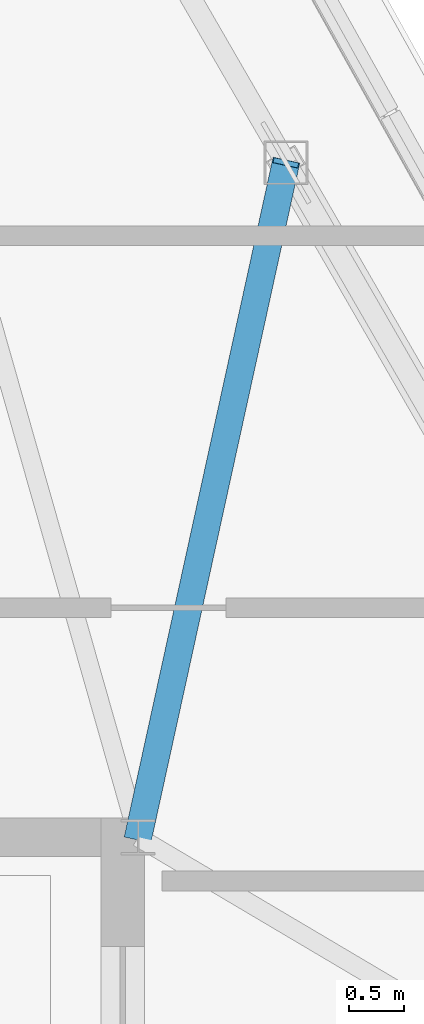
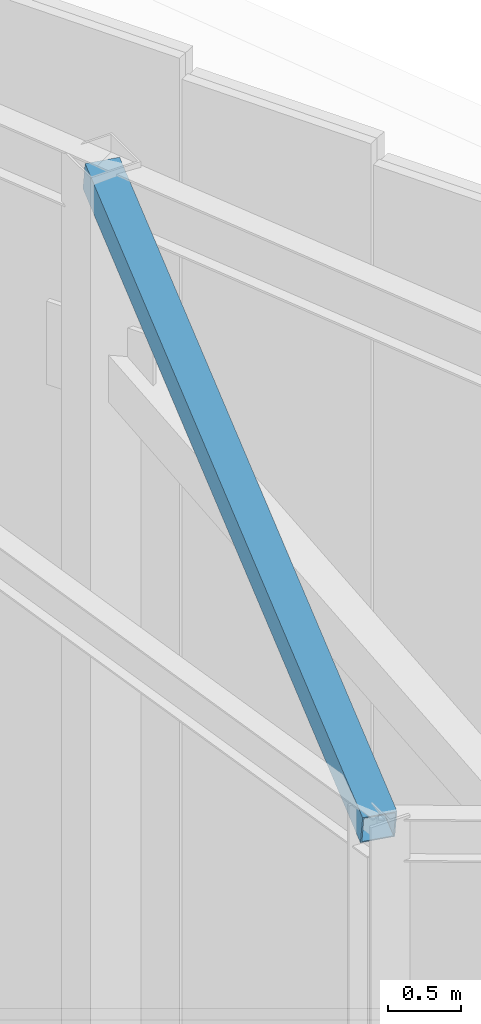
# One storey, part 33 of 50: 1 beam.
"""IFC4 building model written with IfcOpenShell, lengths in metres."""

from ifc_helpers import new_model, si_unit, direction, frame, origin, origin_2d, place, context, subcontext, project, spatial, hollow_rectangle, extrude, source, transform, mapped, material, material_profile, profile_set, type_object, type_shapes, element, save


model = new_model("IFC4")

# Units and contexts
model_context = context("Model", 3, precision=1e-05, world=origin(), true_north=direction((0.0, 1.0)))
body_context = subcontext(model_context, "Body", "Model", "MODEL_VIEW")
ifc_project = project(units=[si_unit("LENGTHUNIT", "METRE"), si_unit("AREAUNIT", "SQUARE_METRE"), si_unit("VOLUMEUNIT", "CUBIC_METRE"), si_unit("PLANEANGLEUNIT", "RADIAN"), si_unit("MASSUNIT", "GRAM", prefix="KILO")], contexts=[model_context])

# Site, building, storey
site_placement = place(None, origin())
site = spatial("IfcSite", under=ifc_project, at=site_placement, CompositionType="ELEMENT")
building_placement = place(site_placement, origin())
building = spatial("IfcBuilding", under=site, at=building_placement, Name="Caelisora Broadcast Tower", CompositionType="ELEMENT")
storey_placement = place(building_placement, frame((0.0, 0.0, 303.39990234375)))
storey = spatial("IfcBuildingStorey", under=building, at=storey_placement, Name="L80", CompositionType="ELEMENT", Elevation=303.39990234375)

# Beam
ifc_material = material(Name="Steel Grade 350 (AS/NZS 1163 C350L0)", Category="steel")
ifc_material_profile = material_profile(ifc_material, hollow_rectangle(XDim=0.25, YDim=0.25, WallThickness=0.010009765625, at=origin_2d()), Name="Steel Grade 350 (AS/NZS 1163 C350L0)")
ifc_profile_set = profile_set([ifc_material_profile], Name="Steel Grade 350 (AS/NZS 1163 C350L0)")
beam_type = type_object("IfcBeamType", Name="RB03", PredefinedType="USERDEFINED", material=ifc_profile_set)
shared_shape = source(origin(), body_context, "Body", "SweptSolid", [
    extrude(hollow_rectangle(XDim=0.25, YDim=0.25, WallThickness=0.010009765625, at=origin_2d()), origin(), (0.0, 0.0, 1.0), 6.4462890625),
])
type_shapes(beam_type, [shared_shape])
beam_placement = place(storey_placement, frame((45.5, 30.0, 10.765380859375), z_axis=(0.209665507491, 0.956939735869, 0.200765327892), x_axis=(-0.976828587361, 0.214023155089, 0.0)))
element("IfcBeam", 1, at=beam_placement, inside=storey, type_object=beam_type, Name="L80 beam RB03", ObjectType="RAFTER", PredefinedType="USERDEFINED", context=body_context, shape_type="MappedRepresentation", body=[
    mapped(shared_shape, transform((0.0, 0.0, 0.0), scale=1.0)),
])

save(model, "model.ifc")
